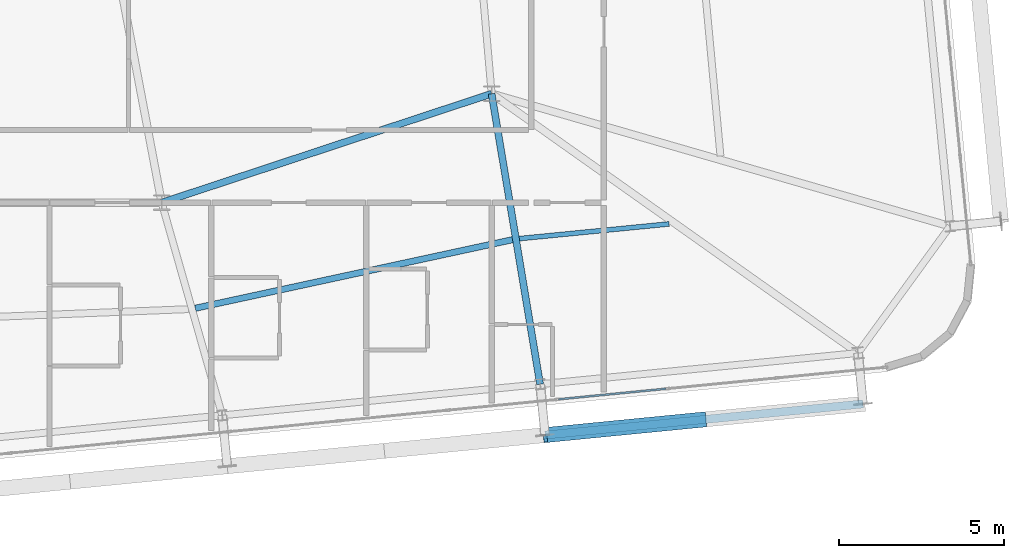
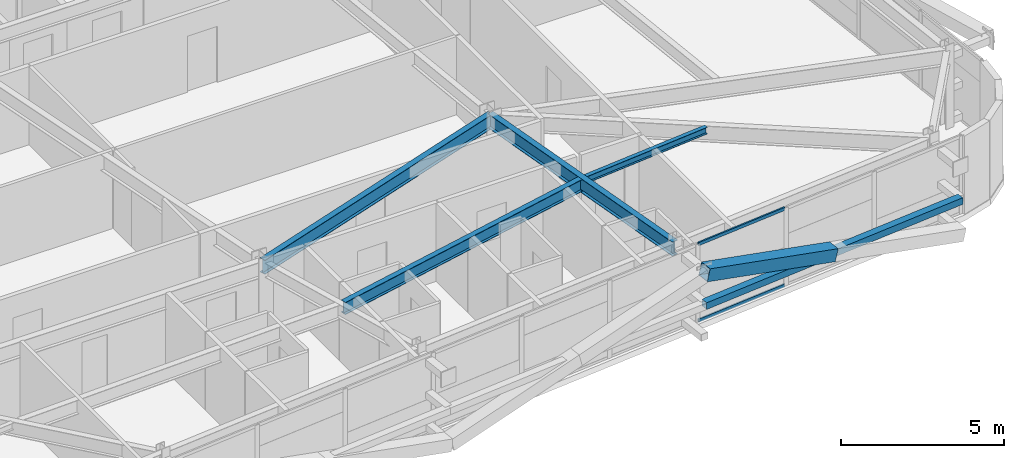
# One storey, part 19 of 54: 4 beams, 4 members, 1 element without a shape of its own.
"""IFC4 building model written with IfcOpenShell, lengths in metres."""

from ifc_helpers import new_model, si_unit, direction, frame, origin, origin_2d, place, context, subcontext, project, spatial, hollow_rectangle, i_section, extrude, source, transform, mapped, material, layer, layer_set, material_profile, profile_set, type_object, element, aggregate, save


model = new_model("IFC4")

# Units and contexts
model_context = context("Model", 3, precision=1e-05, world=origin(), true_north=direction((0.0, 1.0)))
body_context = subcontext(model_context, "Body", "Model", "MODEL_VIEW")
ifc_project = project(units=[si_unit("LENGTHUNIT", "METRE"), si_unit("AREAUNIT", "SQUARE_METRE"), si_unit("VOLUMEUNIT", "CUBIC_METRE"), si_unit("PLANEANGLEUNIT", "RADIAN"), si_unit("MASSUNIT", "GRAM", prefix="KILO")], contexts=[model_context])

# Site, building, storey
site_placement = place(None, origin())
site = spatial("IfcSite", under=ifc_project, at=site_placement, CompositionType="ELEMENT")
building_placement = place(site_placement, origin())
building = spatial("IfcBuilding", under=site, at=building_placement, Name="Taldren Reach Tower", CompositionType="ELEMENT")
storey_placement = place(building_placement, frame((0.0, 0.0, 102.89990234375)))
storey = spatial("IfcBuildingStorey", under=building, at=storey_placement, Name="L31", CompositionType="ELEMENT", Elevation=102.89990234375)

# Beams
ifc_material_1 = material(Name="Steel Gr 350 (350PLUS)", Category="steel")
ifc_material_profile_1 = material_profile(ifc_material_1, i_section(OverallWidth=0.208984375, OverallDepth=0.532958984375, WebThickness=0.01025390625, FlangeThickness=0.015625, at=origin_2d()), Name="530UB92.4")
ifc_profile_set_1 = profile_set([ifc_material_profile_1], Name="Steel Gr 350 (350PLUS)")
beam_type_1 = type_object("IfcBeamType", Name="BM-UB530A", PredefinedType="BEAM", material=ifc_profile_set_1)
shared_shape_1 = source(origin(), body_context, "Body", "SweptSolid", [
    extrude(i_section(OverallWidth=0.208984375, OverallDepth=0.532958984375, WebThickness=0.01025390625, FlangeThickness=0.015625, at=origin_2d()), origin(), (0.0, 0.0, 1.0), 10.530517578125),
])
beam_1_placement = place(storey_placement, frame((42.0, 9.199951171875, 2.66357421875), z_axis=(0.949627269203, 0.313381635689, 0.0), x_axis=(-0.313381635689, 0.949627269203, 0.0)))
element("IfcBeam", 1, at=beam_1_placement, inside=storey, type_object=beam_type_1, Name="Core-spine girder L31-SP12", PredefinedType="BEAM", context=body_context, shape_type="MappedRepresentation", body=[
    mapped(shared_shape_1, transform((0.0, 0.0, 0.0), scale=1.0)),
])
shared_shape_2 = source(origin(), body_context, "Body", "SweptSolid", [
    extrude(i_section(OverallWidth=0.208984375, OverallDepth=0.532958984375, WebThickness=0.01025390625, FlangeThickness=0.015625, at=origin_2d()), origin(), (0.0, 0.0, 1.0), 8.92333984375),
])
beam_2_placement = place(storey_placement, frame((52.0, 12.5, 2.66357421875), z_axis=(0.164678494096, -0.986347298664, 0.0), x_axis=(0.986347298664, 0.164678494096, 0.0)))
element("IfcBeam", 2, at=beam_2_placement, inside=storey, type_object=beam_type_1, Name="Primary floor girder B2-S5 L31", PredefinedType="BEAM", context=body_context, shape_type="MappedRepresentation", body=[
    mapped(shared_shape_2, transform((0.0, 0.0, 0.0), scale=1.0)),
])
ifc_material_profile_2 = material_profile(ifc_material_1, i_section(OverallWidth=0.19091796875, OverallDepth=0.4599609375, WebThickness=0.010009765625, FlangeThickness=0.01611328125, at=origin_2d()), Name="460UB82.1")
ifc_profile_set_2 = profile_set([ifc_material_profile_2], Name="Steel Gr 350 (350PLUS)")
beam_type_2 = type_object("IfcBeamType", Name="BM-UB460A", PredefinedType="BEAM", material=ifc_profile_set_2)
shared_shape_3 = source(origin(), body_context, "Body", "SweptSolid", [
    extrude(i_section(OverallWidth=0.19091796875, OverallDepth=0.4599609375, WebThickness=0.010009765625, FlangeThickness=0.01611328125, at=origin_2d()), origin(), (0.0, 0.0, 1.0), 9.83447265625),
])
beam_3_placement = place(storey_placement, frame((43.02001953125, 5.9990234375, 2.7001953125), z_axis=(0.977418600156, 0.211312280924, 0.0), x_axis=(-0.211312280924, 0.977418600156, 0.0)))
element("IfcBeam", 3, at=beam_3_placement, inside=storey, type_object=beam_type_2, Name="Secondary floor beam B2 J4 L31", PredefinedType="BEAM", context=body_context, shape_type="MappedRepresentation", body=[
    mapped(shared_shape_3, transform((0.0, 0.0, 0.0), scale=1.0)),
])
ifc_material_2 = material(Name="Steel Gr 300 (300PLUS, 300 MPa)", Category="steel")
ifc_material_profile_3 = material_profile(ifc_material_2, i_section(OverallWidth=0.14599609375, OverallDepth=0.256103515625, WebThickness=0.00634765625, FlangeThickness=0.010986328125, at=origin_2d()), Name="250UB37.3")
ifc_profile_set_3 = profile_set([ifc_material_profile_3], Name="Steel Gr 300 (300PLUS, 300 MPa)")
beam_type_3 = type_object("IfcBeamType", Name="JS-UB250", PredefinedType="JOIST", material=ifc_profile_set_3)
shared_shape_4 = source(origin(), body_context, "Body", "SweptSolid", [
    extrude(i_section(OverallWidth=0.14599609375, OverallDepth=0.256103515625, WebThickness=0.00634765625, FlangeThickness=0.010986328125, at=origin_2d()), origin(), (0.0, 0.0, 1.0), 4.56103515625),
])
beam_4_placement = place(storey_placement, frame((52.8388671875, 8.109375, 2.802001953125), z_axis=(0.995227709746, 0.097579740487, 0.0), x_axis=(-0.097579740487, 0.995227709746, 0.0)))
element("IfcBeam", 4, at=beam_4_placement, inside=storey, type_object=beam_type_3, Name="Secondary floor joist B2 J5 L31", PredefinedType="JOIST", context=body_context, shape_type="MappedRepresentation", body=[
    mapped(shared_shape_4, transform((0.0, 0.0, 0.0), scale=1.0)),
])

# Members
ifc_material_3 = material(Name="Steel Gr 450 (C450L0)", Category="steel")
ifc_material_profile_4 = material_profile(ifc_material_3, hollow_rectangle(XDim=0.4599609375, YDim=0.4599609375, WallThickness=0.01611328125, at=origin_2d()), Name="460x460x16.0SHS")
ifc_profile_set_4 = profile_set([ifc_material_profile_4], Name="Steel Gr 450 (C450L0)")
member_type_1 = type_object("IfcMemberType", Name="MB-EXO457", PredefinedType="BRACE", material=ifc_profile_set_4)
shared_shape_5 = source(origin(), body_context, "Body", "SweptSolid", [
    extrude(hollow_rectangle(XDim=0.4599609375, YDim=0.4599609375, WallThickness=0.01611328125, at=origin_2d()), origin(), (0.0, 0.0, 1.0), 4.990234375),
])
member_1_placement = place(storey_placement, frame((58.4375, 2.628173828125, 1.43505859375), z_axis=(-0.965275526283, -0.094619506732, 0.243496010862), x_axis=(0.097555749586, -0.995230061706, 0.0)))
element("IfcMember", 5, at=member_1_placement, inside=storey, type_object=member_type_1, Name="Exoskeleton Diagrid Brace B2-S5 L31", PredefinedType="BRACE", context=body_context, shape_type="MappedRepresentation", body=[
    mapped(shared_shape_5, transform((0.0, 0.0, 0.0), scale=1.0)),
])
ifc_material_4 = material(Name="Steel Gr 350 (C350L0)", Category="steel")
ifc_material_profile_5 = material_profile(ifc_material_4, hollow_rectangle(XDim=0.25, YDim=0.25, WallThickness=0.010009765625, at=origin_2d()), Name="250x250x10.0SHS")
ifc_profile_set_5 = profile_set([ifc_material_profile_5], Name="Steel Gr 350 (C350L0)")
member_type_2 = type_object("IfcMemberType", Name="MB-POST250", PredefinedType="POST", material=ifc_profile_set_5)
shared_shape_6 = source(origin(), body_context, "Body", "SweptSolid", [
    extrude(hollow_rectangle(XDim=0.25, YDim=0.25, WallThickness=0.010009765625, at=origin_2d()), origin(), (0.0, 0.0, 1.0), 9.679931640625),
])
member_2_placement = place(storey_placement, frame((53.62060546875, 2.156005859375, 1.43505859375), z_axis=(0.995227612658, 0.097580730699, 0.0), x_axis=(-0.097580730699, 0.995227612658, 0.0)))
element("IfcMember", 6, at=member_2_placement, inside=storey, type_object=member_type_2, Name="Exoskeleton mid-height ring chord B2-S5 L31", PredefinedType="POST", context=body_context, shape_type="MappedRepresentation", body=[
    mapped(shared_shape_6, transform((0.0, 0.0, 0.0), scale=1.0)),
])

# Curtain wall, members
ifc_material_5 = material(Name="Aluminium and Low-E Glass Unitised System", Category="aluminium")
ifc_layer = layer(ifc_material_5, 0.159912109375)
ifc_layer_set = layer_set([ifc_layer], Name="Aluminium and Low-E Glass Unitised System")
curtain_wall_type = type_object("IfcCurtainWallType", Name="CW-SYS-3", PredefinedType="NOTDEFINED", material=ifc_layer_set)
curtain_wall_placement = place(storey_placement, origin())
curtain_wall = element("IfcCurtainWall", 7, at=curtain_wall_placement, inside=storey, type_object=curtain_wall_type, Name="Unitised curtain wall CW-L31-S", PredefinedType="NOTDEFINED")
ifc_material_6 = material(Name="Anodised Aluminium 6063-T6", Category="aluminium")
ifc_material_profile_6 = material_profile(ifc_material_6, hollow_rectangle(XDim=0.054931640625, YDim=0.1201171875, WallThickness=0.0029296875, at=origin_2d()), Name="ALU-120x55x3RHS")
ifc_profile_set_6 = profile_set([ifc_material_profile_6], Name="Anodised Aluminium 6063-T6")
member_type_3 = type_object("IfcMemberType", Name="CW-TRN-135", PredefinedType="USERDEFINED", material=ifc_profile_set_6)
shared_shape_7 = source(origin(), body_context, "Body", "SweptSolid", [
    extrude(hollow_rectangle(XDim=0.054931640625, YDim=0.1201171875, WallThickness=0.0029296875, at=origin_2d()), origin(), (0.0, 0.0, 1.0), 3.268310546875),
])
member_3_placement = place(storey_placement, frame((54.029296875, 3.240966796875, 0.027587890625), z_axis=(0.99522980512, 0.097558367146, 0.0), x_axis=(-0.097558367146, 0.99522980512, 0.0)))
member_3 = element("IfcMember", 8, at=member_3_placement, type_object=member_type_3, Name="CW-3 transom 13.1", ObjectType="TRANSOM", PredefinedType="USERDEFINED", context=body_context, shape_type="MappedRepresentation", body=[
    mapped(shared_shape_7, transform((0.0, 0.0, 0.0), scale=1.0)),
])
member_4_placement = place(storey_placement, frame((54.029296875, 3.240966796875, 2.902587890625), z_axis=(0.99522980512, 0.097558367146, 0.0), x_axis=(-0.097558367146, 0.99522980512, 0.0)))
member_4 = element("IfcMember", 9, at=member_4_placement, type_object=member_type_3, Name="CW-3 transom 13.2", ObjectType="TRANSOM", PredefinedType="USERDEFINED", context=body_context, shape_type="MappedRepresentation", body=[
    mapped(shared_shape_7, transform((0.0, 0.0, 0.0), scale=1.0)),
])
aggregate(curtain_wall, [member_3, member_4])

save(model, "model.ifc")
